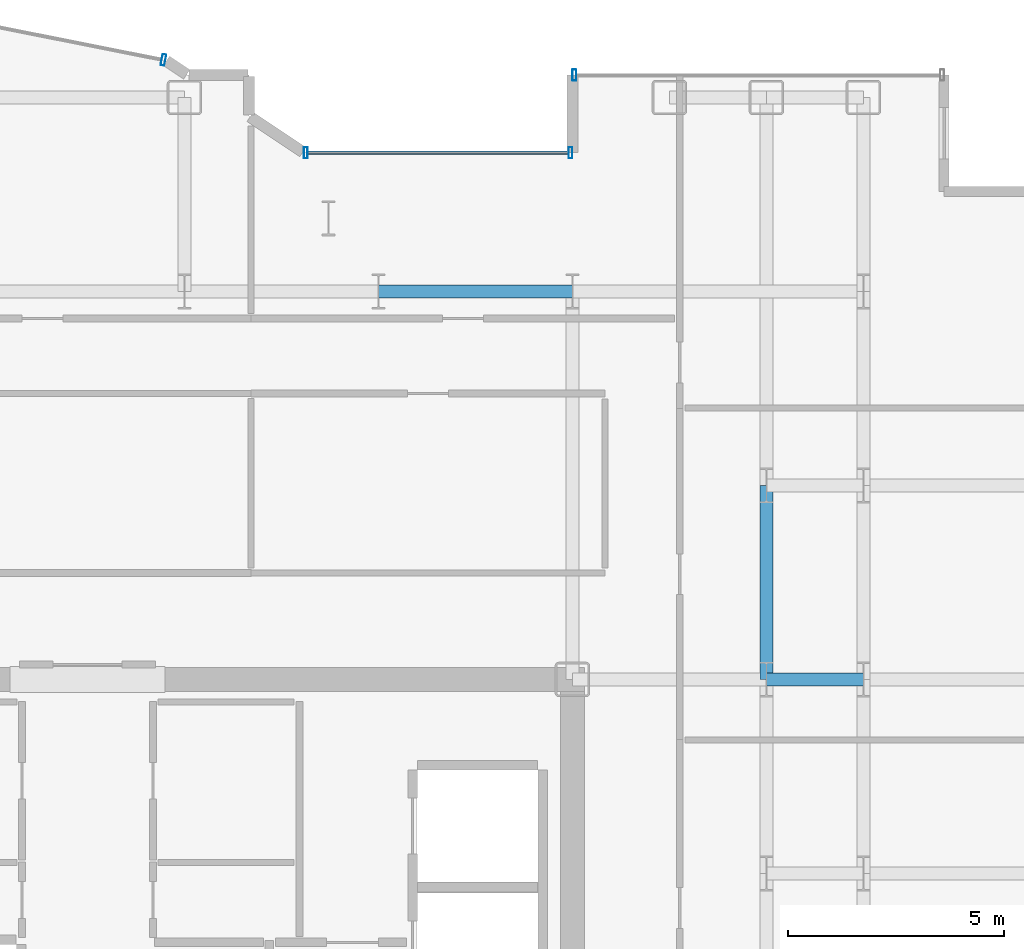
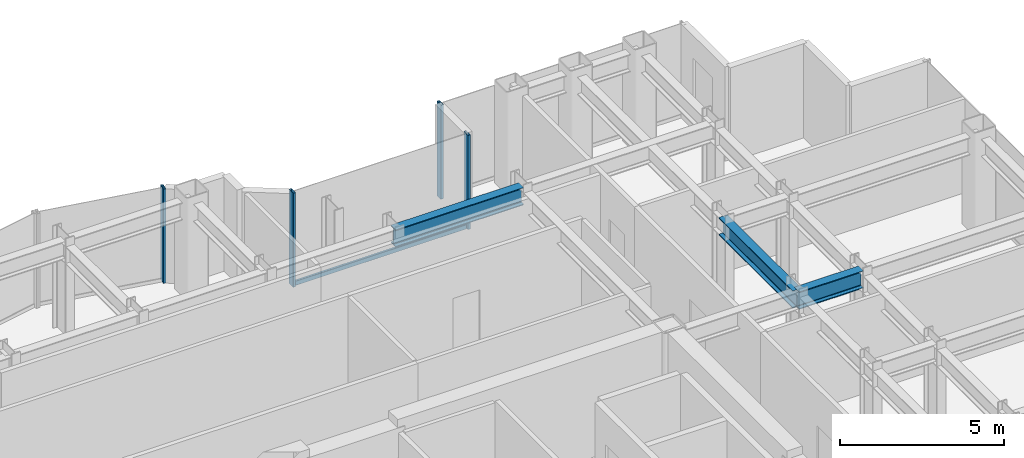
# One storey, part 13 of 23: 5 members, 3 beams, 3 elements without a shape of their own.
"""IFC4 building model written with IfcOpenShell, lengths in metres."""

from ifc_helpers import new_model, si_unit, direction, frame, origin, origin_2d, place, context, subcontext, project, spatial, hollow_rectangle, i_section, extrude, source, transform, mapped, material, layer, layer_set, material_profile, profile_set, type_object, element, aggregate, save


model = new_model("IFC4")

# Units and contexts
model_context = context("Model", 3, precision=1e-05, world=origin(), true_north=direction((0.0, 1.0)))
body_context = subcontext(model_context, "Body", "Model", "MODEL_VIEW")
ifc_project = project(units=[si_unit("LENGTHUNIT", "METRE"), si_unit("AREAUNIT", "SQUARE_METRE"), si_unit("VOLUMEUNIT", "CUBIC_METRE"), si_unit("PLANEANGLEUNIT", "RADIAN"), si_unit("MASSUNIT", "GRAM", prefix="KILO")], contexts=[model_context])

# Site, building, storey
site_placement = place(None, origin())
site = spatial("IfcSite", under=ifc_project, at=site_placement, CompositionType="ELEMENT")
building_placement = place(site_placement, origin())
building = spatial("IfcBuilding", under=site, at=building_placement, Name="Nefas-Gora Pilgrimage Tower", CompositionType="ELEMENT")
storey_placement = place(building_placement, frame((0.0, 0.0, 198.199951171875)))
storey = spatial("IfcBuildingStorey", under=building, at=storey_placement, Name="L49", CompositionType="ELEMENT", Elevation=198.199951171875)

# Beams
ifc_material_1 = material(Name="Steel S355", Category="steel")
ifc_material_profile_1 = material_profile(ifc_material_1, i_section(OverallWidth=0.300048828125, OverallDepth=0.64990234375, WebThickness=0.01611328125, FlangeThickness=0.031005859375, FilletRadius=0.027099609375, at=origin_2d()), Name="HEB 650")
ifc_profile_set_1 = profile_set([ifc_material_profile_1], Name="Steel S355")
beam_type = type_object("IfcBeamType", Name="BM-GIR-HEB650", PredefinedType="BEAM", material=ifc_profile_set_1)
shared_shape_1 = source(origin(), body_context, "Body", "SweptSolid", [
    extrude(i_section(OverallWidth=0.300048828125, OverallDepth=0.64990234375, WebThickness=0.01611328125, FlangeThickness=0.031005859375, FilletRadius=0.027099609375, at=origin_2d()), origin(), (0.0, 0.0, 1.0), 4.5),
])
for number, where, z_axis, x_axis, name in (
    (1, (6.75, 18.0, 3.175048828125), (1.0, 0.0, 0.0), (0.0, 1.0, 0.0), "L49 G-03 beam"),
    (2, (15.75, 9.0, 3.175048828125), (0.0, 1.0, 0.0), (-1.0, 0.0, 0.0), "L49 G-03 beam"),
):
    element("IfcBeam", number, at=place(storey_placement, frame(where, z_axis=z_axis, x_axis=x_axis)), inside=storey, type_object=beam_type, Name=name, PredefinedType="BEAM", context=body_context, shape_type="MappedRepresentation", body=[
        mapped(shared_shape_1, transform((0.0, 0.0, 0.0), x_axis=(1.0, 0.0, 0.0), y_axis=(0.0, 1.0, 0.0), z_axis=(0.0, 0.0, 1.0), scale=1.0)),
    ])
shared_shape_2 = source(origin(), body_context, "Body", "SweptSolid", [
    extrude(i_section(OverallWidth=0.300048828125, OverallDepth=0.64990234375, WebThickness=0.01611328125, FlangeThickness=0.031005859375, FilletRadius=0.027099609375, at=origin_2d()), origin(), (0.0, 0.0, 1.0), 2.25),
])
beam_placement = place(storey_placement, frame((15.75, 9.0, 3.175048828125), z_axis=(1.0, 0.0, 0.0), x_axis=(0.0, 1.0, 0.0)))
element("IfcBeam", 3, at=beam_placement, inside=storey, type_object=beam_type, Name="L49 G-03 beam", PredefinedType="BEAM", context=body_context, shape_type="MappedRepresentation", body=[
    mapped(shared_shape_2, transform((0.0, 0.0, 0.0), x_axis=(1.0, 0.0, 0.0), y_axis=(0.0, 1.0, 0.0), z_axis=(0.0, 0.0, 1.0), scale=1.0)),
])

# Curtain wall, members
ifc_material_2 = material(Name="Dark ceramic-fritted solar-control aluminium-glass curtain wall", Category="aluminium")
ifc_layer_1 = layer(ifc_material_2, 0.219970703125)
ifc_layer_set_1 = layer_set([ifc_layer_1], Name="Dark ceramic-fritted solar-control aluminium-glass curtain wall")
curtain_wall_type_1 = type_object("IfcCurtainWallType", Name="CW-SYS-5", PredefinedType="NOTDEFINED", material=ifc_layer_set_1)
curtain_wall_1_placement = place(storey_placement, origin())
curtain_wall_1 = element("IfcCurtainWall", 4, at=curtain_wall_1_placement, inside=storey, type_object=curtain_wall_type_1, Name="L49 Unitised Curtain Wall CW5", PredefinedType="NOTDEFINED")
ifc_material_3 = material(Name="Anodised architectural aluminium", Category="aluminium")
ifc_material_profile_2 = material_profile(ifc_material_3, hollow_rectangle(XDim=0.080078125, YDim=0.159912109375, WallThickness=0.00439453125, InnerFilletRadius=0.00439453125, OuterFilletRadius=0.009033203125, at=origin_2d()), Name="ALU TRANSOM 80x160")
ifc_profile_set_2 = profile_set([ifc_material_profile_2], Name="Anodised architectural aluminium")
member_type_1 = type_object("IfcMemberType", Name="CWM-TRN-5", PredefinedType="USERDEFINED", material=ifc_profile_set_2)
shared_shape_3 = source(origin(), body_context, "Body", "SweptSolid", [
    extrude(hollow_rectangle(XDim=0.080078125, YDim=0.159912109375, WallThickness=0.00439453125, InnerFilletRadius=0.00439453125, OuterFilletRadius=0.009033203125, at=origin_2d()), origin(), (0.0, 0.0, 1.0), 6.052001953125),
])
member_1_placement = place(storey_placement, frame((11.159912109375, 21.219970703125, 0.050048828125), z_axis=(-1.0, 0.0, 0.0), x_axis=(0.0, -1.0, 0.0)))
member_1 = element("IfcMember", 5, at=member_1_placement, type_object=member_type_1, Name="CW5 Spandrel Transom", ObjectType="TRANSOM", PredefinedType="USERDEFINED", context=body_context, shape_type="MappedRepresentation", body=[
    mapped(shared_shape_3, transform((0.0, 0.0, 0.0), x_axis=(1.0, 0.0, 0.0), y_axis=(0.0, 1.0, 0.0), z_axis=(0.0, 0.0, 1.0), scale=1.0)),
])
ifc_material_profile_3 = material_profile(ifc_material_3, hollow_rectangle(XDim=0.090087890625, YDim=0.260009765625, WallThickness=0.006103515625, InnerFilletRadius=0.006103515625, OuterFilletRadius=0.011962890625, at=origin_2d()), Name="ALU MULLION 90x260")
ifc_profile_set_3 = profile_set([ifc_material_profile_3], Name="Anodised architectural aluminium")
member_type_2 = type_object("IfcMemberType", Name="CWM-MUL-5", PredefinedType="MULLION", material=ifc_profile_set_3)
shared_shape_4 = source(origin(), body_context, "Body", "SweptSolid", [
    extrude(hollow_rectangle(XDim=0.090087890625, YDim=0.260009765625, WallThickness=0.006103515625, InnerFilletRadius=0.006103515625, OuterFilletRadius=0.011962890625, at=origin_2d()), origin(), (0.0, 0.0, 1.0), 3.5),
])
member_2_placement = place(storey_placement, frame((11.205078125, 21.219970703125, 0.0), z_axis=(0.0, 0.0, 1.0), x_axis=(-1.0, 0.0, 0.0)))
member_2 = element("IfcMember", 6, at=member_2_placement, type_object=member_type_2, Name="CW5 Mullion 1", PredefinedType="MULLION", context=body_context, shape_type="MappedRepresentation", body=[
    mapped(shared_shape_4, transform((0.0, 0.0, 0.0), x_axis=(1.0, 0.0, 0.0), y_axis=(0.0, 1.0, 0.0), z_axis=(0.0, 0.0, 1.0), scale=1.0)),
])
member_3_placement = place(storey_placement, frame((5.06298828125, 21.219970703125, 0.0), z_axis=(0.0, 0.0, 1.0), x_axis=(-1.0, 0.0, 0.0)))
member_3 = element("IfcMember", 7, at=member_3_placement, type_object=member_type_2, Name="CW5 Mullion 2", PredefinedType="MULLION", context=body_context, shape_type="MappedRepresentation", body=[
    mapped(shared_shape_4, transform((0.0, 0.0, 0.0), x_axis=(1.0, 0.0, 0.0), y_axis=(0.0, 1.0, 0.0), z_axis=(0.0, 0.0, 1.0), scale=1.0)),
])
aggregate(curtain_wall_1, [member_2, member_3, member_1])

# Curtain wall, member
curtain_wall_2_placement = place(storey_placement, origin())
curtain_wall_2 = element("IfcCurtainWall", 8, at=curtain_wall_2_placement, inside=storey, type_object=curtain_wall_type_1, Name="L49 Unitised Curtain Wall CW5", PredefinedType="NOTDEFINED")
member_4_placement = place(storey_placement, frame((1.76318359375, 23.3740234375, 0.0), z_axis=(0.0, 0.0, 1.0), x_axis=(-0.980782896852, 0.195102304554, 0.0)))
member_4 = element("IfcMember", 9, at=member_4_placement, type_object=member_type_2, Name="CW5 Mullion 1", PredefinedType="MULLION", context=body_context, shape_type="MappedRepresentation", body=[
    mapped(shared_shape_4, transform((0.0, 0.0, 0.0), x_axis=(1.0, 0.0, 0.0), y_axis=(0.0, 1.0, 0.0), z_axis=(0.0, 0.0, 1.0), scale=1.0)),
])
aggregate(curtain_wall_2, [member_4])

ifc_layer_2 = layer(ifc_material_2, 0.219970703125)
ifc_layer_set_2 = layer_set([ifc_layer_2], Name="Dark ceramic-fritted solar-control aluminium-glass curtain wall")
curtain_wall_type_2 = type_object("IfcCurtainWallType", Name="CW-SYS-3", PredefinedType="NOTDEFINED", material=ifc_layer_set_2)
curtain_wall_3_placement = place(storey_placement, origin())
curtain_wall_3 = element("IfcCurtainWall", 10, at=curtain_wall_3_placement, inside=storey, type_object=curtain_wall_type_2, Name="L49 Unitised Curtain Wall CW3", PredefinedType="NOTDEFINED")
ifc_material_profile_4 = material_profile(ifc_material_3, hollow_rectangle(XDim=0.090087890625, YDim=0.260009765625, WallThickness=0.006103515625, InnerFilletRadius=0.006103515625, OuterFilletRadius=0.011962890625, at=origin_2d()), Name="ALU MULLION 90x260")
ifc_profile_set_4 = profile_set([ifc_material_profile_4], Name="Anodised architectural aluminium")
member_type_3 = type_object("IfcMemberType", Name="CWM-MUL-3", PredefinedType="MULLION", material=ifc_profile_set_4)
shared_shape_5 = source(origin(), body_context, "Body", "SweptSolid", [
    extrude(hollow_rectangle(XDim=0.090087890625, YDim=0.260009765625, WallThickness=0.006103515625, InnerFilletRadius=0.006103515625, OuterFilletRadius=0.011962890625, at=origin_2d()), origin(), (0.0, 0.0, 1.0), 3.5),
])
member_5_placement = place(storey_placement, frame((11.294921875, 23.02001953125, 0.0), z_axis=(0.0, 0.0, 1.0), x_axis=(-1.0, 0.0, 0.0)))
member_5 = element("IfcMember", 11, at=member_5_placement, type_object=member_type_3, Name="CW3 Mullion 2", PredefinedType="MULLION", context=body_context, shape_type="MappedRepresentation", body=[
    mapped(shared_shape_5, transform((0.0, 0.0, 0.0), x_axis=(1.0, 0.0, 0.0), y_axis=(0.0, 1.0, 0.0), z_axis=(0.0, 0.0, 1.0), scale=1.0)),
])
aggregate(curtain_wall_3, [member_5])

save(model, "model.ifc")
